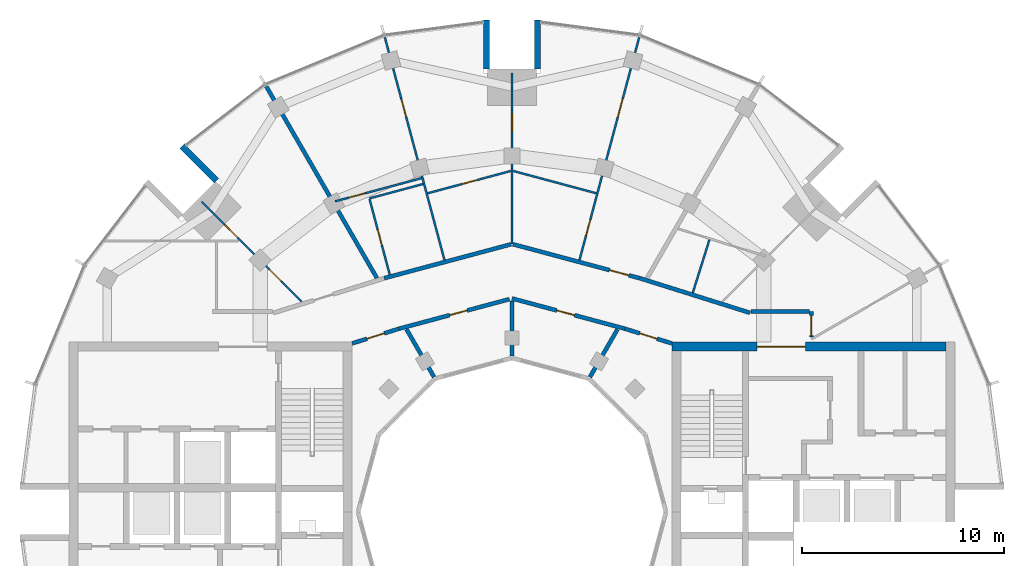
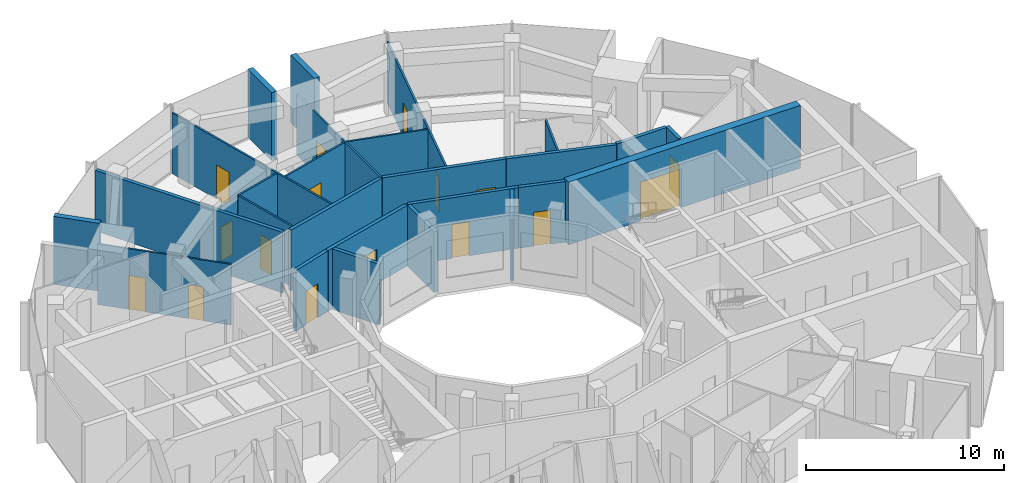
# One storey, part 12 of 15: 27 walls, 16 doors, 16 openings.
"""IFC4 building model written with IfcOpenShell, lengths in metres."""

import ifcopenshell
import ifcopenshell.guid

model = None  # the IFC model being written
_history = None  # IfcOwnerHistory: only IFC2X3 demands one
_inside = {}  # id of a spatial element -> (the spatial element, [elements in it])
_under = {}  # id of a project, library or spatial element -> (it, [spatial elements below it])
_declared = {}  # id of a project -> (the project, [libraries it declares])
_typed = {}  # id of a type object -> (the type object, [elements of that type])
_made_of = {}  # id of a material, layer set ... -> (it, [elements and type objects made of it])


def new_model(schema):
    """Start an empty IFC model of exactly this schema.

    Asked for "IFC4X3", IfcOpenShell would pick the latest addendum, in which some entities
    have other attributes; the version numbers below select the first issue.
    IFC2X3 requires an IfcOwnerHistory on every rooted entity: one is made here for all.
    """
    global model, _history
    if schema == "IFC4X3":
        model = ifcopenshell.file(schema_version=(4, 3, 0, 0))
    else:
        model = ifcopenshell.file(schema=schema)
    _inside.clear()
    _under.clear()
    _declared.clear()
    _typed.clear()
    _made_of.clear()
    _history = None
    if model.schema == "IFC2X3":
        org = make("IfcOrganization", Name="unknown")
        user = make(
            "IfcPersonAndOrganization",
            ThePerson=make("IfcPerson", FamilyName="unknown"),
            TheOrganization=org,
        )
        app = make(
            "IfcApplication",
            ApplicationDeveloper=org,
            Version="unknown",
            ApplicationFullName="unknown",
            ApplicationIdentifier="unknown",
        )
        _history = make(
            "IfcOwnerHistory",
            OwningUser=user,
            OwningApplication=app,
            ChangeAction="ADDED",
            CreationDate=0,
        )
    return model


def make(cls, **values):
    """One entity of the class cls with the attributes given. An attribute that is None is left unset."""
    return model.create_entity(
        cls, **{name: value for name, value in values.items() if value is not None}
    )


def rooted(cls, **values):
    """An entity with a GlobalId (a new one), such as an element, a storey or a relation."""
    return make(cls, GlobalId=ifcopenshell.guid.new(), OwnerHistory=_history, **values)


def si_unit(unit_type, name, prefix=None):
    """IfcSIUnit, for example si_unit("LENGTHUNIT", "METRE", prefix="MILLI")."""
    return make("IfcSIUnit", UnitType=unit_type, Prefix=prefix, Name=name)


def assignment(units):
    """IfcUnitAssignment: the units of a project."""
    return None if units is None else make("IfcUnitAssignment", Units=units)


def point(xyz):
    """IfcCartesianPoint."""
    return None if xyz is None else make("IfcCartesianPoint", Coordinates=xyz)


def direction(xyz):
    """IfcDirection."""
    return None if xyz is None else make("IfcDirection", DirectionRatios=xyz)


def frame(location, z_axis=None, x_axis=None):
    """IfcAxis2Placement3D, a coordinate frame: its origin and axes. An axis left out is left unset."""
    return make(
        "IfcAxis2Placement3D",
        Location=point(location),
        Axis=direction(z_axis),
        RefDirection=direction(x_axis),
    )


def frame_2d(location, x_axis=None):
    """IfcAxis2Placement2D, a coordinate frame in the plane: its origin and x axis."""
    return make(
        "IfcAxis2Placement2D", Location=point(location), RefDirection=direction(x_axis)
    )


def origin():
    """The frame at (0, 0, 0) with its axes left unset."""
    return frame((0.0, 0.0, 0.0))


def place(relative_to, where):
    """IfcLocalPlacement: puts the frame where relative to a parent placement (None: the world)."""
    return make(
        "IfcLocalPlacement", PlacementRelTo=relative_to, RelativePlacement=where
    )


def context(
    kind, dimensions, precision=None, world=None, true_north=None, identifier=None
):
    """IfcGeometricRepresentationContext, for example the 3D "Model" context."""
    return make(
        "IfcGeometricRepresentationContext",
        ContextIdentifier=identifier,
        ContextType=kind,
        CoordinateSpaceDimension=dimensions,
        Precision=precision,
        WorldCoordinateSystem=world,
        TrueNorth=true_north,
    )


def subcontext(parent, identifier, kind, view, scale=None):
    """IfcGeometricRepresentationSubContext, for example "Body" below "Model"."""
    return make(
        "IfcGeometricRepresentationSubContext",
        ContextIdentifier=identifier,
        ContextType=kind,
        ParentContext=parent,
        TargetScale=scale,
        TargetView=view,
    )


def project(units=None, contexts=None):
    """IfcProject with its units and contexts."""
    return rooted(
        "IfcProject",
        Name="project",
        RepresentationContexts=contexts,
        UnitsInContext=assignment(units),
    )


def spatial(cls, under=None, at=None, **own):
    """A site, building, storey or space (cls), placed at a placement, below another one or the project."""
    s = rooted(cls, ObjectPlacement=at, **own)
    if under is not None:
        _under.setdefault(under.id(), (under, []))[1].append(s)
    return s


def profile(cls, at=None, kind="AREA", **sizes):
    """A parametric profile (cls). Its sizes go by their IFC names, for example OverallWidth=200.0."""
    return make(cls, ProfileType=kind, Position=at, **sizes)


def rectangle(**sizes):
    """IfcRectangleProfileDef."""
    return profile("IfcRectangleProfileDef", **sizes)


def extrude(swept, where, along, depth):
    """IfcExtrudedAreaSolid: the profile swept, set in the frame where, extruded along a direction by depth."""
    return make(
        "IfcExtrudedAreaSolid",
        SweptArea=swept,
        Position=where,
        ExtrudedDirection=direction(along),
        Depth=depth,
    )


def shape(context_of_items, identifier, shape_type, items):
    """IfcShapeRepresentation: the items that make up one representation, for example the "Body"."""
    return make(
        "IfcShapeRepresentation",
        ContextOfItems=context_of_items,
        RepresentationIdentifier=identifier,
        RepresentationType=shape_type,
        Items=items,
    )


def material(Name=None, Category=None):
    """IfcMaterial."""
    return make("IfcMaterial", Name=Name, Category=Category)


def layer(
    of_material, thickness, ventilated=None, Name=None, Category=None, Priority=None
):
    """IfcMaterialLayer: one layer of a wall or slab, of a material (None: an air gap)."""
    return make(
        "IfcMaterialLayer",
        Material=of_material,
        LayerThickness=thickness,
        IsVentilated=ventilated,
        Name=Name,
        Category=Category,
        Priority=Priority,
    )


def layer_set(layers, Name=None):
    """IfcMaterialLayerSet."""
    return make("IfcMaterialLayerSet", MaterialLayers=layers, LayerSetName=Name)


def made_of(thing, what):
    """Note that an element or type object is made of a material, layer set ...; save() writes the relation."""
    if what is not None:
        _made_of.setdefault(what.id(), (what, []))[1].append(thing)
    return thing


def type_object(cls, material=None, **own):
    """A type object (cls), such as IfcWallType, which elements share."""
    return made_of(rooted(cls, **own), material)


def element(
    cls,
    number,
    at=None,
    inside=None,
    cuts=None,
    type_object=None,
    material=None,
    context=None,
    identifier="Body",
    shape_type=None,
    held_by="IfcProductDefinitionShape",
    body=None,
    shapes=None,
    **own,
):
    """One element of the class cls, such as IfcWall. Its Tag is "e" and its number.

    at: its placement. inside: the storey or other place that contains it. cuts: it is an
    opening in that element (IfcRelVoidsElement). A single representation is given by context,
    identifier, shape_type and body (its items); several are given by shapes. held_by: the class
    of the entity that holds the representations. save() writes the other relations.
    """
    e = rooted(cls, Tag="e%d" % number, ObjectPlacement=at, **own)
    if body is not None:
        shapes = [shape(context, identifier, shape_type, body)]
    if shapes is not None:
        e.Representation = make(held_by, Representations=shapes)
    if inside is not None:
        _inside.setdefault(inside.id(), (inside, []))[1].append(e)
    if cuts is not None:
        rooted(
            "IfcRelVoidsElement", RelatingBuildingElement=cuts, RelatedOpeningElement=e
        )
    if type_object is not None:
        _typed.setdefault(type_object.id(), (type_object, []))[1].append(e)
    return made_of(e, material)


def fill(opening, filler):
    """IfcRelFillsElement: the door or window that sits in an opening."""
    return rooted(
        "IfcRelFillsElement",
        RelatingOpeningElement=opening,
        RelatedBuildingElement=filler,
    )


def aggregate(whole, parts):
    """IfcRelAggregates: a whole, such as a stair, and the parts it consists of."""
    return rooted("IfcRelAggregates", RelatingObject=whole, RelatedObjects=parts)


def save(model, path):
    """Write the relations noted so far, then the file.

    IfcRelAggregates (storeys below a building ...), IfcRelContainedInSpatialStructure (elements
    in a storey), IfcRelDefinesByType, IfcRelAssociatesMaterial and IfcRelDeclares: one each for
    every whole, place, type object, material and project.
    """
    for whole, parts in _under.values():
        aggregate(whole, parts)
    for where, things in _inside.values():
        rooted(
            "IfcRelContainedInSpatialStructure",
            RelatedElements=things,
            RelatingStructure=where,
        )
    for kind, things in _typed.values():
        rooted("IfcRelDefinesByType", RelatedObjects=things, RelatingType=kind)
    for what, things in _made_of.values():
        rooted("IfcRelAssociatesMaterial", RelatedObjects=things, RelatingMaterial=what)
    for by, libraries in _declared.values():
        rooted("IfcRelDeclares", RelatingContext=by, RelatedDefinitions=libraries)
    model.write(path)


model = new_model("IFC4")

# Units and contexts
model_context = context("Model", 3, precision=1e-05, world=origin(), true_north=direction((0.0, 1.0)))
body_context = subcontext(model_context, "Body", "Model", "MODEL_VIEW")
ifc_project = project(units=[si_unit("LENGTHUNIT", "METRE"), si_unit("AREAUNIT", "SQUARE_METRE"), si_unit("VOLUMEUNIT", "CUBIC_METRE"), si_unit("PLANEANGLEUNIT", "RADIAN"), si_unit("MASSUNIT", "GRAM", prefix="KILO")], contexts=[model_context])

# Site, building, storey
site_placement = place(None, origin())
site = spatial("IfcSite", under=ifc_project, at=site_placement, CompositionType="ELEMENT")
building_placement = place(site_placement, origin())
building = spatial("IfcBuilding", under=site, at=building_placement, Name="Torre Brocal", CompositionType="ELEMENT")
storey_placement = place(building_placement, frame((0.0, 0.0, 284.10009765625)))
storey = spatial("IfcBuildingStorey", under=building, at=storey_placement, Name="L65", CompositionType="ELEMENT", Elevation=284.10009765625)

# Wall, opening, door
ifc_material_1 = material(Name="Concrete C50", Category="concrete")
ifc_layer_1 = layer(ifc_material_1, 0.449951171875)
ifc_layer_set_1 = layer_set([ifc_layer_1], Name="Concrete C50")
wall_type_1 = type_object("IfcWallType", Name="CORE WALL 450 C50", PredefinedType="SHEAR", material=ifc_layer_set_1)
wall_1_placement = place(storey_placement, frame((87.89990234375, 83.175048828125, 0.0), z_axis=(0.0, 0.0, 1.0), x_axis=(1.0, 0.0, 0.0)))
wall_1 = element("IfcWall", 1, at=wall_1_placement, inside=storey, type_object=wall_type_1, Name="Wall CW450-50", PredefinedType="SHEAR", context=body_context, shape_type="SweptSolid", body=[
    extrude(rectangle(XDim=13.550048828125, YDim=0.449951171875, at=frame_2d((6.77490234375, 0.0))), origin(), (0.0, 0.0, 1.0), 3.8798828125),
])
opening_1_placement = place(wall_1_placement, frame((4.199951171875, 0.0, 0.0)))
opening_1 = element("IfcOpeningElement", 2, at=opening_1_placement, cuts=wall_1, Name="Opening E-D32", PredefinedType="OPENING", context=body_context, shape_type="SweptSolid", body=[
    extrude(rectangle(XDim=2.39990234375, YDim=2.39990234375, at=frame_2d((1.199951171875, 1.199951171875))), frame((0.0, 0.23486328125, 0.0), z_axis=(0.0, -1.0, 0.0), x_axis=(1.0, 0.0, 0.0)), (0.0, 0.0, 1.0), 0.469970703125),
])
ifc_material_2 = material(Name="Steel A653", Category="steel")
door_type_1 = type_object("IfcDoorType", Name="DOUBLE FIRE DOOR FD90 2400X2400", OperationType="DOUBLE_DOOR_SINGLE_SWING", PredefinedType="DOOR", material=ifc_material_2)
door_1_placement = place(opening_1_placement, frame((2.39990234375, 0.0, 0.0), z_axis=(0.0, 0.0, 1.0), x_axis=(-1.0, 0.0, 0.0)))
door_1 = element("IfcDoor", 3, at=door_1_placement, inside=storey, type_object=door_type_1, Name="Door E-D32", OperationType="DOUBLE_DOOR_SINGLE_SWING", OverallHeight=2.39990234375, OverallWidth=2.39990234375, PredefinedType="DOOR", context=body_context, shape_type="SweptSolid", body=[
    extrude(rectangle(XDim=2.39990234375, YDim=2.39990234375, at=frame_2d((1.199951171875, 1.199951171875))), frame((0.0, 0.02490234375, 0.0), z_axis=(0.0, -1.0, 0.0), x_axis=(1.0, 0.0, 0.0)), (0.0, 0.0, 1.0), 0.050048828125),
])
fill(opening_1, door_1)

# Walls
ifc_material_3 = material(Name="Concrete C50", Category="concrete")
ifc_layer_2 = layer(ifc_material_3, 0.300048828125)
ifc_layer_set_2 = layer_set([ifc_layer_2], Name="Concrete C50")
wall_type_2 = type_object("IfcWallType", Name="NOTCH RETURN WALL 300 C50", PredefinedType="NOTDEFINED", material=ifc_layer_set_2)
for number, where, z_axis, x_axis, name in (
    (4, (81.25, 96.89990234375, 0.0), (0.0, 0.0, 1.0), (0.0, 1.0, 0.0), "NOTCH RETURN WALL"),
    (5, (78.75, 96.89990234375, 0.0), (0.0, 0.0, 1.0), (0.0, 1.0, 0.0), "NOTCH RETURN WALL"),
):
    element("IfcWall", number, at=place(storey_placement, frame(where, z_axis=z_axis, x_axis=x_axis)), inside=storey, type_object=wall_type_2, Name=name, PredefinedType="NOTDEFINED", context=body_context, shape_type="SweptSolid", body=[
        extrude(rectangle(XDim=2.415771484375, YDim=0.300048828125, at=frame_2d((1.2080078125, 0.0))), origin(), (0.0, 0.0, 1.0), 4.199951171875),
    ])
wall_2_placement = place(storey_placement, frame((65.398193359375, 91.36962890625, 0.0), z_axis=(0.0, 0.0, 1.0), x_axis=(-0.707106781187, 0.707106781187, 0.0)))
element("IfcWall", 6, at=wall_2_placement, inside=storey, type_object=wall_type_2, Name="NOTCH RETURN WALL", PredefinedType="NOTDEFINED", context=body_context, shape_type="SweptSolid", body=[
    extrude(rectangle(XDim=2.41552734375, YDim=0.300048828125, at=frame_2d((1.207763671875, 0.0))), origin(), (0.0, 0.0, 1.0), 4.199951171875),
])

# Wall, openings, doors
ifc_material_4 = material(Name="Gypsum board", Category="Gypsum")
ifc_layer_3 = layer(ifc_material_4, 0.10009765625)
ifc_layer_set_3 = layer_set([ifc_layer_3], Name="Gypsum board")
wall_type_3 = type_object("IfcWallType", Name="PARTITION 100", PredefinedType="PARTITIONING", material=ifc_layer_set_3)
wall_3_placement = place(storey_placement, frame((64.655517578125, 90.344482421875, 0.0), z_axis=(0.0, 0.0, 1.0), x_axis=(0.707106781187, -0.707106781187, 0.0)))
wall_3 = element("IfcWall", 7, at=wall_3_placement, inside=storey, type_object=wall_type_3, Name="BATHROOM WALL", PredefinedType="PARTITIONING", context=body_context, shape_type="SweptSolid", body=[
    extrude(rectangle(XDim=6.99951171875, YDim=0.10009765625, at=frame_2d((3.499755859375, 0.0))), origin(), (0.0, 0.0, 1.0), 3.75),
])
opening_2_placement = place(wall_3_placement, frame((1.619384765625, 0.0, 0.0)))
opening_2 = element("IfcOpeningElement", 8, at=opening_2_placement, cuts=wall_3, Name="Opening N01-D15", PredefinedType="OPENING", context=body_context, shape_type="SweptSolid", body=[
    extrude(rectangle(XDim=0.89990234375, YDim=2.10009765625, at=frame_2d((0.449951171875, 1.050048828125))), frame((0.0, 0.06005859375, 0.0), z_axis=(0.0, -1.0, 0.0), x_axis=(1.0, 0.0, 0.0)), (0.0, 0.0, 1.0), 0.1201171875),
])
opening_3_placement = place(wall_3_placement, frame((4.75537109375, 0.0, 0.0)))
opening_3 = element("IfcOpeningElement", 9, at=opening_3_placement, cuts=wall_3, Name="Opening N01-D17", PredefinedType="OPENING", context=body_context, shape_type="SweptSolid", body=[
    extrude(rectangle(XDim=0.800048828125, YDim=2.10009765625, at=frame_2d((0.39990234375, 1.050048828125))), frame((0.0, 0.06005859375, 0.0), z_axis=(0.0, -1.0, 0.0), x_axis=(1.0, 0.0, 0.0)), (0.0, 0.0, 1.0), 0.1201171875),
])
ifc_material_5 = material(Name="Timber", Category="wood")
door_type_2 = type_object("IfcDoorType", Name="BATHROOM DOOR 800X2100", OperationType="SINGLE_SWING_LEFT", PredefinedType="DOOR", material=ifc_material_5)
door_2_placement = place(opening_3_placement, frame((0.800048828125, 0.0, 0.0), z_axis=(0.0, 0.0, 1.0), x_axis=(-1.0, 0.0, 0.0)))
door_2 = element("IfcDoor", 10, at=door_2_placement, inside=storey, type_object=door_type_2, Name="N01-D17", OperationType="SINGLE_SWING_LEFT", OverallHeight=2.10009765625, OverallWidth=0.800048828125, PredefinedType="DOOR", context=body_context, shape_type="SweptSolid", body=[
    extrude(rectangle(XDim=0.800048828125, YDim=2.10009765625, at=frame_2d((0.39990234375, 1.050048828125))), frame((0.0, 0.02490234375, 0.0), z_axis=(0.0, -1.0, 0.0), x_axis=(1.0, 0.0, 0.0)), (0.0, 0.0, 1.0), 0.050048828125),
])
fill(opening_3, door_2)
ifc_material_6 = material(Name="Timber", Category="wood")
door_type_3 = type_object("IfcDoorType", Name="ROOM DOOR 900X2100", OperationType="SINGLE_SWING_LEFT", PredefinedType="DOOR", material=ifc_material_6)
door_3_placement = place(opening_2_placement, frame((0.89990234375, 0.0, 0.0), z_axis=(0.0, 0.0, 1.0), x_axis=(-1.0, 0.0, 0.0)))
door_3 = element("IfcDoor", 11, at=door_3_placement, inside=storey, type_object=door_type_3, Name="N01-D15", OperationType="SINGLE_SWING_RIGHT", OverallHeight=2.10009765625, OverallWidth=0.89990234375, PredefinedType="DOOR", context=body_context, shape_type="SweptSolid", body=[
    extrude(rectangle(XDim=0.89990234375, YDim=2.10009765625, at=frame_2d((0.449951171875, 1.050048828125))), frame((0.0, 0.02490234375, 0.0), z_axis=(0.0, -1.0, 0.0), x_axis=(1.0, 0.0, 0.0)), (0.0, 0.0, 1.0), 0.050048828125),
])
fill(opening_2, door_3)

# Wall, opening, door
wall_4_placement = place(storey_placement, frame((72.962890625, 90.44873046875, 0.0), z_axis=(0.0, 0.0, 1.0), x_axis=(0.25854689918, -0.965998706482, 0.0)))
wall_4 = element("IfcWall", 12, at=wall_4_placement, inside=storey, type_object=wall_type_3, Name="BATHROOM WALL", PredefinedType="PARTITIONING", context=body_context, shape_type="SweptSolid", body=[
    extrude(rectangle(XDim=3.848876953125, YDim=0.10009765625, at=frame_2d((1.92431640625, 0.0))), origin(), (0.0, 0.0, 1.0), 3.75),
])
opening_4_placement = place(wall_4_placement, frame((1.549560546875, 0.0, 0.0)))
opening_4 = element("IfcOpeningElement", 13, at=opening_4_placement, cuts=wall_4, Name="Opening N01-D12", PredefinedType="OPENING", context=body_context, shape_type="SweptSolid", body=[
    extrude(rectangle(XDim=0.800048828125, YDim=2.10009765625, at=frame_2d((0.39990234375, 1.050048828125))), frame((0.0, 0.06005859375, 0.0), z_axis=(0.0, -1.0, 0.0), x_axis=(1.0, 0.0, 0.0)), (0.0, 0.0, 1.0), 0.1201171875),
])
door_4_placement = place(opening_4_placement, origin())
door_4 = element("IfcDoor", 14, at=door_4_placement, inside=storey, type_object=door_type_2, Name="N01-D12", OperationType="SINGLE_SWING_RIGHT", OverallHeight=2.10009765625, OverallWidth=0.800048828125, PredefinedType="DOOR", context=body_context, shape_type="SweptSolid", body=[
    extrude(rectangle(XDim=0.800048828125, YDim=2.10009765625, at=frame_2d((0.39990234375, 1.050048828125))), frame((0.0, 0.02490234375, 0.0), z_axis=(0.0, -1.0, 0.0), x_axis=(1.0, 0.0, 0.0)), (0.0, 0.0, 1.0), 0.050048828125),
])
fill(opening_4, door_4)

# Wall
wall_5_placement = place(storey_placement, frame((72.949951171875, 90.4970703125, 0.0), z_axis=(0.0, 0.0, 1.0), x_axis=(0.96588619323, 0.258966912418, 0.0)))
element("IfcWall", 15, at=wall_5_placement, inside=storey, type_object=wall_type_3, Name="BATHROOM WALL", PredefinedType="PARTITIONING", context=body_context, shape_type="SweptSolid", body=[
    extrude(rectangle(XDim=2.7490234375, YDim=0.10009765625, at=frame_2d((1.37451171875, 0.0))), origin(), (0.0, 0.0, 1.0), 3.75),
])

# Wall, opening, door
wall_6_placement = place(storey_placement, frame((73.7119140625, 98.470458984375, 0.0), z_axis=(0.0, 0.0, 1.0), x_axis=(0.258727167471, -0.965950440143, 0.0)))
wall_6 = element("IfcWall", 16, at=wall_6_placement, inside=storey, type_object=wall_type_3, Name="BATHROOM WALL", PredefinedType="PARTITIONING", context=body_context, shape_type="SweptSolid", body=[
    extrude(rectangle(XDim=11.403564453125, YDim=0.10009765625, at=frame_2d((5.70166015625, 0.0))), origin(), (0.0, 0.0, 1.0), 3.75),
])
opening_5_placement = place(wall_6_placement, frame((3.187255859375, 0.0, 0.0)))
opening_5 = element("IfcOpeningElement", 17, at=opening_5_placement, cuts=wall_6, Name="Opening N01-D11", PredefinedType="OPENING", context=body_context, shape_type="SweptSolid", body=[
    extrude(rectangle(XDim=0.89990234375, YDim=2.10009765625, at=frame_2d((0.449951171875, 1.050048828125))), frame((0.0, 0.06005859375, 0.0), z_axis=(0.0, -1.0, 0.0), x_axis=(1.0, 0.0, 0.0)), (0.0, 0.0, 1.0), 0.1201171875),
])
door_5_placement = place(opening_5_placement, origin())
door_5 = element("IfcDoor", 18, at=door_5_placement, inside=storey, type_object=door_type_3, Name="N01-D11", OperationType="SINGLE_SWING_LEFT", OverallHeight=2.10009765625, OverallWidth=0.89990234375, PredefinedType="DOOR", context=body_context, shape_type="SweptSolid", body=[
    extrude(rectangle(XDim=0.89990234375, YDim=2.10009765625, at=frame_2d((0.449951171875, 1.050048828125))), frame((0.0, 0.02490234375, 0.0), z_axis=(0.0, -1.0, 0.0), x_axis=(1.0, 0.0, 0.0)), (0.0, 0.0, 1.0), 0.050048828125),
])
fill(opening_5, door_5)

wall_7_placement = place(storey_placement, frame((75.83154296875, 90.751953125, 0.0), z_axis=(0.0, 0.0, 1.0), x_axis=(0.965856843682, 0.259076354601, 0.0)))
wall_7 = element("IfcWall", 19, at=wall_7_placement, inside=storey, type_object=wall_type_3, Name="BATHROOM WALL", PredefinedType="PARTITIONING", context=body_context, shape_type="SweptSolid", body=[
    extrude(rectangle(XDim=4.255615234375, YDim=0.10009765625, at=frame_2d((2.1279296875, 0.0))), origin(), (0.0, 0.0, 1.0), 3.75),
])
opening_6_placement = place(wall_7_placement, frame((1.732666015625, 0.0, 0.0)))
opening_6 = element("IfcOpeningElement", 20, at=opening_6_placement, cuts=wall_7, Name="Opening N01-D10", PredefinedType="OPENING", context=body_context, shape_type="SweptSolid", body=[
    extrude(rectangle(XDim=0.800048828125, YDim=2.10009765625, at=frame_2d((0.39990234375, 1.050048828125))), frame((0.0, 0.06005859375, 0.0), z_axis=(0.0, -1.0, 0.0), x_axis=(1.0, 0.0, 0.0)), (0.0, 0.0, 1.0), 0.1201171875),
])
door_6_placement = place(opening_6_placement, frame((0.800048828125, 0.0, 0.0), z_axis=(0.0, 0.0, 1.0), x_axis=(-1.0, 0.0, 0.0)))
door_6 = element("IfcDoor", 21, at=door_6_placement, inside=storey, type_object=door_type_2, Name="N01-D10", OperationType="SINGLE_SWING_LEFT", OverallHeight=2.10009765625, OverallWidth=0.800048828125, PredefinedType="DOOR", context=body_context, shape_type="SweptSolid", body=[
    extrude(rectangle(XDim=0.800048828125, YDim=2.10009765625, at=frame_2d((0.39990234375, 1.050048828125))), frame((0.0, 0.02490234375, 0.0), z_axis=(0.0, -1.0, 0.0), x_axis=(1.0, 0.0, 0.0)), (0.0, 0.0, 1.0), 0.050048828125),
])
fill(opening_6, door_6)

wall_8_placement = place(storey_placement, frame((80.0, 88.24609375, 0.0), z_axis=(0.0, 0.0, 1.0), x_axis=(0.0, 1.0, 0.0)))
wall_8 = element("IfcWall", 22, at=wall_8_placement, inside=storey, type_object=wall_type_3, Name="BATHROOM WALL", PredefinedType="PARTITIONING", context=body_context, shape_type="SweptSolid", body=[
    extrude(rectangle(XDim=8.453857421875, YDim=0.10009765625, at=frame_2d((4.22705078125, 0.0))), origin(), (0.0, 0.0, 1.0), 3.75),
])
opening_7_placement = place(wall_8_placement, frame((5.56396484375, 0.0, 0.0)))
opening_7 = element("IfcOpeningElement", 23, at=opening_7_placement, cuts=wall_8, Name="Opening N01-D09", PredefinedType="OPENING", context=body_context, shape_type="SweptSolid", body=[
    extrude(rectangle(XDim=0.89990234375, YDim=2.10009765625, at=frame_2d((0.449951171875, 1.050048828125))), frame((0.0, 0.06005859375, 0.0), z_axis=(0.0, -1.0, 0.0), x_axis=(1.0, 0.0, 0.0)), (0.0, 0.0, 1.0), 0.1201171875),
])
door_7_placement = place(opening_7_placement, origin())
door_7 = element("IfcDoor", 24, at=door_7_placement, inside=storey, type_object=door_type_3, Name="N01-D09", OperationType="SINGLE_SWING_RIGHT", OverallHeight=2.10009765625, OverallWidth=0.89990234375, PredefinedType="DOOR", context=body_context, shape_type="SweptSolid", body=[
    extrude(rectangle(XDim=0.89990234375, YDim=2.10009765625, at=frame_2d((0.449951171875, 1.050048828125))), frame((0.0, 0.02490234375, 0.0), z_axis=(0.0, -1.0, 0.0), x_axis=(1.0, 0.0, 0.0)), (0.0, 0.0, 1.0), 0.050048828125),
])
fill(opening_7, door_7)

# Wall
wall_9_placement = place(storey_placement, frame((80.05810546875, 91.8544921875, 0.0), z_axis=(0.0, 0.0, 1.0), x_axis=(0.96586069397, -0.259061999998, 0.0)))
element("IfcWall", 25, at=wall_9_placement, inside=storey, type_object=wall_type_3, Name="BATHROOM WALL", PredefinedType="PARTITIONING", context=body_context, shape_type="SweptSolid", body=[
    extrude(rectangle(XDim=4.255859375, YDim=0.10009765625, at=frame_2d((2.1279296875, 0.0))), origin(), (0.0, 0.0, 1.0), 3.75),
])

# Wall, openings, doors
wall_10_placement = place(storey_placement, frame((83.3369140625, 87.455078125, 0.0), z_axis=(0.0, 0.0, 1.0), x_axis=(0.25887234328, 0.965911543509, 0.0)))
wall_10 = element("IfcWall", 26, at=wall_10_placement, inside=storey, type_object=wall_type_3, Name="BATHROOM WALL", PredefinedType="PARTITIONING", context=body_context, shape_type="SweptSolid", body=[
    extrude(rectangle(XDim=11.40380859375, YDim=0.10009765625, at=frame_2d((5.701904296875, 0.0))), origin(), (0.0, 0.0, 1.0), 3.75),
])
opening_8_placement = place(wall_10_placement, frame((7.326416015625, 0.0, 0.0)))
opening_8 = element("IfcOpeningElement", 27, at=opening_8_placement, cuts=wall_10, Name="Opening N01-D07", PredefinedType="OPENING", context=body_context, shape_type="SweptSolid", body=[
    extrude(rectangle(XDim=0.89990234375, YDim=2.10009765625, at=frame_2d((0.449951171875, 1.050048828125))), frame((0.0, 0.06005859375, 0.0), z_axis=(0.0, -1.0, 0.0), x_axis=(1.0, 0.0, 0.0)), (0.0, 0.0, 1.0), 0.1201171875),
])
opening_9_placement = place(wall_10_placement, frame((1.259521484375, 0.0, 0.0)))
opening_9 = element("IfcOpeningElement", 28, at=opening_9_placement, cuts=wall_10, Name="Opening N01-D08", PredefinedType="OPENING", context=body_context, shape_type="SweptSolid", body=[
    extrude(rectangle(XDim=0.800048828125, YDim=2.10009765625, at=frame_2d((0.39990234375, 1.050048828125))), frame((0.0, 0.06005859375, 0.0), z_axis=(0.0, -1.0, 0.0), x_axis=(1.0, 0.0, 0.0)), (0.0, 0.0, 1.0), 0.1201171875),
])
door_8_placement = place(opening_9_placement, origin())
door_8 = element("IfcDoor", 29, at=door_8_placement, inside=storey, type_object=door_type_2, Name="N01-D08", OperationType="SINGLE_SWING_LEFT", OverallHeight=2.10009765625, OverallWidth=0.800048828125, PredefinedType="DOOR", context=body_context, shape_type="SweptSolid", body=[
    extrude(rectangle(XDim=0.800048828125, YDim=2.10009765625, at=frame_2d((0.39990234375, 1.050048828125))), frame((0.0, 0.02490234375, 0.0), z_axis=(0.0, -1.0, 0.0), x_axis=(1.0, 0.0, 0.0)), (0.0, 0.0, 1.0), 0.050048828125),
])
fill(opening_9, door_8)
door_9_placement = place(opening_8_placement, origin())
door_9 = element("IfcDoor", 30, at=door_9_placement, inside=storey, type_object=door_type_3, Name="N01-D07", OperationType="SINGLE_SWING_RIGHT", OverallHeight=2.10009765625, OverallWidth=0.89990234375, PredefinedType="DOOR", context=body_context, shape_type="SweptSolid", body=[
    extrude(rectangle(XDim=0.89990234375, YDim=2.10009765625, at=frame_2d((0.449951171875, 1.050048828125))), frame((0.0, 0.02490234375, 0.0), z_axis=(0.0, -1.0, 0.0), x_axis=(1.0, 0.0, 0.0)), (0.0, 0.0, 1.0), 0.050048828125),
])
fill(opening_8, door_9)

# Wall
wall_11_placement = place(storey_placement, frame((88.935791015625, 85.83642578125, 0.0), z_axis=(0.0, 0.0, 1.0), x_axis=(0.299371771011, 0.954136543018, 0.0)))
element("IfcWall", 31, at=wall_11_placement, inside=storey, type_object=wall_type_3, Name="BATHROOM WALL", PredefinedType="PARTITIONING", context=body_context, shape_type="SweptSolid", body=[
    extrude(rectangle(XDim=2.75, YDim=0.10009765625, at=frame_2d((1.375, 0.0))), origin(), (0.0, 0.0, 1.0), 3.75),
])

# Wall, opening, door
ifc_material_7 = material(Name="Gypsum board", Category="Gypsum")
ifc_layer_4 = layer(ifc_material_7, 0.10009765625)
ifc_layer_set_4 = layer_set([ifc_layer_4], Name="Gypsum board")
wall_type_4 = type_object("IfcWallType", Name="PARTITION 100 UNDER BEAM 820", PredefinedType="PARTITIONING", material=ifc_layer_set_4)
wall_12_placement = place(storey_placement, frame((71.2578125, 90.3544921875, 0.0), z_axis=(0.0, 0.0, 1.0), x_axis=(0.965955692548, 0.258707556973, 0.0)))
wall_12 = element("IfcWall", 32, at=wall_12_placement, inside=storey, type_object=wall_type_4, Name="BATHROOM WALL", PredefinedType="PARTITIONING", context=body_context, shape_type="SweptSolid", body=[
    extrude(rectangle(XDim=4.420166015625, YDim=0.10009765625, at=frame_2d((2.2099609375, 0.0))), origin(), (0.0, 0.0, 1.0), 3.3798828125),
])
opening_10_placement = place(wall_12_placement, frame((0.72998046875, 0.0, 0.0)))
opening_10 = element("IfcOpeningElement", 33, at=opening_10_placement, cuts=wall_12, Name="Opening N01-D13", PredefinedType="OPENING", context=body_context, shape_type="SweptSolid", body=[
    extrude(rectangle(XDim=0.800048828125, YDim=2.10009765625, at=frame_2d((0.39990234375, 1.050048828125))), frame((0.0, 0.06005859375, 0.0), z_axis=(0.0, -1.0, 0.0), x_axis=(1.0, 0.0, 0.0)), (0.0, 0.0, 1.0), 0.1201171875),
])
door_10_placement = place(opening_10_placement, origin())
door_10 = element("IfcDoor", 34, at=door_10_placement, inside=storey, type_object=door_type_2, Name="N01-D13", OperationType="SINGLE_SWING_LEFT", OverallHeight=2.10009765625, OverallWidth=0.800048828125, PredefinedType="DOOR", context=body_context, shape_type="SweptSolid", body=[
    extrude(rectangle(XDim=0.800048828125, YDim=2.10009765625, at=frame_2d((0.39990234375, 1.050048828125))), frame((0.0, 0.02490234375, 0.0), z_axis=(0.0, -1.0, 0.0), x_axis=(1.0, 0.0, 0.0)), (0.0, 0.0, 1.0), 0.050048828125),
])
fill(opening_10, door_10)

# Wall
ifc_material_8 = material(Name="Gypsum board", Category="Gypsum")
ifc_layer_5 = layer(ifc_material_8, 0.199951171875)
ifc_layer_set_5 = layer_set([ifc_layer_5], Name="Gypsum board")
wall_type_5 = type_object("IfcWallType", Name="PARTITION 200 EI60", PredefinedType="PARTITIONING", material=ifc_layer_set_5)
wall_13_placement = place(storey_placement, frame((67.8515625, 96.04248046875, 0.0), z_axis=(0.0, 0.0, 1.0), x_axis=(0.499960582802, -0.866048160118, 0.0)))
element("IfcWall", 35, at=wall_13_placement, inside=storey, type_object=wall_type_5, Name="BATHROOM WALL", PredefinedType="PARTITIONING", context=body_context, shape_type="SweptSolid", body=[
    extrude(rectangle(XDim=10.94580078125, YDim=0.199951171875, at=frame_2d((5.472900390625, 0.0))), origin(), (0.0, 0.0, 1.0), 3.75),
])

# Wall, opening, door
wall_14_placement = place(storey_placement, frame((72.10009765625, 83.33203125, 0.0), z_axis=(0.0, 0.0, 1.0), x_axis=(0.954233106619, 0.299063836383, 0.0)))
wall_14 = element("IfcWall", 36, at=wall_14_placement, inside=storey, type_object=wall_type_5, Name="CORRIDOR WALL", PredefinedType="PARTITIONING", context=body_context, shape_type="SweptSolid", body=[
    extrude(rectangle(XDim=2.4140625, YDim=0.199951171875, at=frame_2d((1.20703125, 0.0))), origin(), (0.0, 0.0, 1.0), 3.75),
])
opening_11_placement = place(wall_14_placement, frame((0.761962890625, 0.0, 0.0)))
opening_11 = element("IfcOpeningElement", 37, at=opening_11_placement, cuts=wall_14, Name="Opening N01-D21", PredefinedType="OPENING", context=body_context, shape_type="SweptSolid", body=[
    extrude(rectangle(XDim=0.89990234375, YDim=2.10009765625, at=frame_2d((0.449951171875, 1.050048828125))), frame((0.0, 0.10986328125, 0.0), z_axis=(0.0, -1.0, 0.0), x_axis=(1.0, 0.0, 0.0)), (0.0, 0.0, 1.0), 0.219970703125),
])
door_11_placement = place(opening_11_placement, frame((0.89990234375, 0.0, 0.0), z_axis=(0.0, 0.0, 1.0), x_axis=(-1.0, 0.0, 0.0)))
door_11 = element("IfcDoor", 38, at=door_11_placement, inside=storey, type_object=door_type_3, Name="N01-D21", OperationType="SINGLE_SWING_RIGHT", OverallHeight=2.10009765625, OverallWidth=0.89990234375, PredefinedType="DOOR", context=body_context, shape_type="SweptSolid", body=[
    extrude(rectangle(XDim=0.89990234375, YDim=2.10009765625, at=frame_2d((0.449951171875, 1.050048828125))), frame((0.0, 0.02490234375, 0.0), z_axis=(0.0, -1.0, 0.0), x_axis=(1.0, 0.0, 0.0)), (0.0, 0.0, 1.0), 0.050048828125),
])
fill(opening_11, door_11)

# Wall
wall_15_placement = place(storey_placement, frame((73.68701171875, 86.554443359375, 0.0), z_axis=(0.0, 0.0, 1.0), x_axis=(0.966002126521, 0.258534120682, 0.0)))
element("IfcWall", 39, at=wall_15_placement, inside=storey, type_object=wall_type_5, Name="GUESTROOM CORRIDOR WALL", PredefinedType="PARTITIONING", context=body_context, shape_type="SweptSolid", body=[
    extrude(rectangle(XDim=6.485595703125, YDim=0.199951171875, at=frame_2d((3.24267578125, 0.0))), origin(), (0.0, 0.0, 1.0), 3.75),
])

# Wall, opening, door
wall_16_placement = place(storey_placement, frame((74.4130859375, 84.056884765625, 0.0), z_axis=(0.0, 0.0, 1.0), x_axis=(0.965972135939, 0.258646153246, 0.0)))
wall_16 = element("IfcWall", 40, at=wall_16_placement, inside=storey, type_object=wall_type_5, Name="CORRIDOR WALL", PredefinedType="PARTITIONING", context=body_context, shape_type="SweptSolid", body=[
    extrude(rectangle(XDim=5.654052734375, YDim=0.199951171875, at=frame_2d((2.8271484375, 0.0))), origin(), (0.0, 0.0, 1.0), 3.75),
])
opening_12_placement = place(wall_16_placement, frame((2.5927734375, 0.0, 0.0)))
opening_12 = element("IfcOpeningElement", 41, at=opening_12_placement, cuts=wall_16, Name="Opening N01-D20", PredefinedType="OPENING", context=body_context, shape_type="SweptSolid", body=[
    extrude(rectangle(XDim=0.89990234375, YDim=2.10009765625, at=frame_2d((0.449951171875, 1.050048828125))), frame((0.0, 0.10986328125, 0.0), z_axis=(0.0, -1.0, 0.0), x_axis=(1.0, 0.0, 0.0)), (0.0, 0.0, 1.0), 0.219970703125),
])
door_12_placement = place(opening_12_placement, frame((0.89990234375, 0.0, 0.0), z_axis=(0.0, 0.0, 1.0), x_axis=(-1.0, 0.0, 0.0)))
door_12 = element("IfcDoor", 42, at=door_12_placement, inside=storey, type_object=door_type_3, Name="N01-D20", OperationType="SINGLE_SWING_RIGHT", OverallHeight=2.10009765625, OverallWidth=0.89990234375, PredefinedType="DOOR", context=body_context, shape_type="SweptSolid", body=[
    extrude(rectangle(XDim=0.89990234375, YDim=2.10009765625, at=frame_2d((0.449951171875, 1.050048828125))), frame((0.0, 0.02490234375, 0.0), z_axis=(0.0, -1.0, 0.0), x_axis=(1.0, 0.0, 0.0)), (0.0, 0.0, 1.0), 0.050048828125),
])
fill(opening_12, door_12)

# Walls
wall_17_placement = place(storey_placement, frame((74.78759765625, 84.027099609375, 0.0), z_axis=(0.0, 0.0, 1.0), x_axis=(0.49997314572, -0.866040907555, 0.0)))
element("IfcWall", 43, at=wall_17_placement, inside=storey, type_object=wall_type_5, Name="SERVICE ROOM WALL", PredefinedType="PARTITIONING", context=body_context, shape_type="SweptSolid", body=[
    extrude(rectangle(XDim=2.725830078125, YDim=0.199951171875, at=frame_2d((1.36279296875, 0.0))), origin(), (0.0, 0.0, 1.0), 3.75),
])
wall_18_placement = place(storey_placement, frame((80.0, 82.698974609375, 0.0), z_axis=(0.0, 0.0, 1.0), x_axis=(0.0, 1.0, 0.0)))
element("IfcWall", 44, at=wall_18_placement, inside=storey, type_object=wall_type_5, Name="SERVICE ROOM WALL", PredefinedType="PARTITIONING", context=body_context, shape_type="SweptSolid", body=[
    extrude(rectangle(XDim=2.72509765625, YDim=0.199951171875, at=frame_2d((1.362548828125, 0.0))), origin(), (0.0, 0.0, 1.0), 3.75),
])

# Wall, opening, door
wall_19_placement = place(storey_placement, frame((80.0, 85.553955078125, 0.0), z_axis=(0.0, 0.0, 1.0), x_axis=(0.965928989968, -0.258807237802, 0.0)))
wall_19 = element("IfcWall", 45, at=wall_19_placement, inside=storey, type_object=wall_type_5, Name="CORRIDOR WALL", PredefinedType="PARTITIONING", context=body_context, shape_type="SweptSolid", body=[
    extrude(rectangle(XDim=5.774169921875, YDim=0.199951171875, at=frame_2d((2.88720703125, 0.0))), origin(), (0.0, 0.0, 1.0), 3.75),
])
opening_13_placement = place(wall_19_placement, frame((2.29150390625, 0.0, 0.0)))
opening_13 = element("IfcOpeningElement", 46, at=opening_13_placement, cuts=wall_19, Name="Opening N01-D19", PredefinedType="OPENING", context=body_context, shape_type="SweptSolid", body=[
    extrude(rectangle(XDim=0.89990234375, YDim=2.10009765625, at=frame_2d((0.449951171875, 1.050048828125))), frame((0.0, 0.10986328125, 0.0), z_axis=(0.0, -1.0, 0.0), x_axis=(1.0, 0.0, 0.0)), (0.0, 0.0, 1.0), 0.219970703125),
])
door_13_placement = place(opening_13_placement, frame((0.89990234375, 0.0, 0.0), z_axis=(0.0, 0.0, 1.0), x_axis=(-1.0, 0.0, 0.0)))
door_13 = element("IfcDoor", 47, at=door_13_placement, inside=storey, type_object=door_type_3, Name="N01-D19", OperationType="SINGLE_SWING_LEFT", OverallHeight=2.10009765625, OverallWidth=0.89990234375, PredefinedType="DOOR", context=body_context, shape_type="SweptSolid", body=[
    extrude(rectangle(XDim=0.89990234375, YDim=2.10009765625, at=frame_2d((0.449951171875, 1.050048828125))), frame((0.0, 0.02490234375, 0.0), z_axis=(0.0, -1.0, 0.0), x_axis=(1.0, 0.0, 0.0)), (0.0, 0.0, 1.0), 0.050048828125),
])
fill(opening_13, door_13)

wall_20_placement = place(storey_placement, frame((80.04833984375, 88.233154296875, 0.0), z_axis=(0.0, 0.0, 1.0), x_axis=(0.965865387308, -0.259044501198, 0.0)))
wall_20 = element("IfcWall", 48, at=wall_20_placement, inside=storey, type_object=wall_type_5, Name="FLAT ENTRANCE WALL", PredefinedType="PARTITIONING", context=body_context, shape_type="SweptSolid", body=[
    extrude(rectangle(XDim=6.4755859375, YDim=0.199951171875, at=frame_2d((3.23779296875, 0.0))), origin(), (0.0, 0.0, 1.0), 3.75),
])
opening_14_placement = place(wall_20_placement, frame((4.935791015625, 0.0, 0.0)))
opening_14 = element("IfcOpeningElement", 49, at=opening_14_placement, cuts=wall_20, Name="Opening N01-D06", PredefinedType="OPENING", context=body_context, shape_type="SweptSolid", body=[
    extrude(rectangle(XDim=1.0, YDim=2.10009765625, at=frame_2d((0.5, 1.050048828125))), frame((0.0, 0.10986328125, 0.0), z_axis=(0.0, -1.0, 0.0), x_axis=(1.0, 0.0, 0.0)), (0.0, 0.0, 1.0), 0.219970703125),
])
ifc_material_9 = material(Name="Timber", Category="wood")
door_type_4 = type_object("IfcDoorType", Name="FLAT ENTRY DOOR FD30S 1000X2100", OperationType="SINGLE_SWING_RIGHT", PredefinedType="DOOR", material=ifc_material_9)
door_14_placement = place(opening_14_placement, origin())
door_14 = element("IfcDoor", 50, at=door_14_placement, inside=storey, type_object=door_type_4, Name="N01-D06", OperationType="SINGLE_SWING_RIGHT", OverallHeight=2.10009765625, OverallWidth=1.0, PredefinedType="DOOR", context=body_context, shape_type="SweptSolid", body=[
    extrude(rectangle(XDim=1.0, YDim=2.10009765625, at=frame_2d((0.5, 1.050048828125))), frame((0.0, 0.02490234375, 0.0), z_axis=(0.0, -1.0, 0.0), x_axis=(1.0, 0.0, 0.0)), (0.0, 0.0, 1.0), 0.050048828125),
])
fill(opening_14, door_14)

# Wall
wall_21_placement = place(storey_placement, frame((83.850341796875, 81.666259765625, 0.0), z_axis=(0.0, 0.0, 1.0), x_axis=(0.500146274735, 0.865940935554, 0.0)))
element("IfcWall", 51, at=wall_21_placement, inside=storey, type_object=wall_type_5, Name="SERVICE ROOM WALL", PredefinedType="PARTITIONING", context=body_context, shape_type="SweptSolid", body=[
    extrude(rectangle(XDim=2.725830078125, YDim=0.199951171875, at=frame_2d((1.36279296875, 0.0))), origin(), (0.0, 0.0, 1.0), 3.75),
])

# Wall, opening, door
wall_22_placement = place(storey_placement, frame((85.5869140625, 84.056884765625, 0.0), z_axis=(0.0, 0.0, 1.0), x_axis=(0.954239513179, -0.299043393987, 0.0)))
wall_22 = element("IfcWall", 52, at=wall_22_placement, inside=storey, type_object=wall_type_5, Name="CORRIDOR WALL", PredefinedType="PARTITIONING", context=body_context, shape_type="SweptSolid", body=[
    extrude(rectangle(XDim=2.423828125, YDim=0.199951171875, at=frame_2d((1.2119140625, 0.0))), origin(), (0.0, 0.0, 1.0), 3.75),
])
opening_15_placement = place(wall_22_placement, frame((0.761962890625, 0.0, 0.0)))
opening_15 = element("IfcOpeningElement", 53, at=opening_15_placement, cuts=wall_22, Name="Opening N01-D18", PredefinedType="OPENING", context=body_context, shape_type="SweptSolid", body=[
    extrude(rectangle(XDim=0.89990234375, YDim=2.10009765625, at=frame_2d((0.449951171875, 1.050048828125))), frame((0.0, 0.10986328125, 0.0), z_axis=(0.0, -1.0, 0.0), x_axis=(1.0, 0.0, 0.0)), (0.0, 0.0, 1.0), 0.219970703125),
])
door_15_placement = place(opening_15_placement, frame((0.89990234375, 0.0, 0.0), z_axis=(0.0, 0.0, 1.0), x_axis=(-1.0, 0.0, 0.0)))
door_15 = element("IfcDoor", 54, at=door_15_placement, inside=storey, type_object=door_type_3, Name="N01-D18", OperationType="SINGLE_SWING_LEFT", OverallHeight=2.10009765625, OverallWidth=0.89990234375, PredefinedType="DOOR", context=body_context, shape_type="SweptSolid", body=[
    extrude(rectangle(XDim=0.89990234375, YDim=2.10009765625, at=frame_2d((0.449951171875, 1.050048828125))), frame((0.0, 0.02490234375, 0.0), z_axis=(0.0, -1.0, 0.0), x_axis=(1.0, 0.0, 0.0)), (0.0, 0.0, 1.0), 0.050048828125),
])
fill(opening_15, door_15)

# Walls
wall_23_placement = place(storey_placement, frame((86.313232421875, 86.554443359375, 0.0), z_axis=(0.0, 0.0, 1.0), x_axis=(0.954089584911, -0.299521391497, 0.0)))
element("IfcWall", 55, at=wall_23_placement, inside=storey, type_object=wall_type_5, Name="FLAT ENTRANCE WALL", PredefinedType="PARTITIONING", context=body_context, shape_type="SweptSolid", body=[
    extrude(rectangle(XDim=5.720458984375, YDim=0.199951171875, at=frame_2d((2.8603515625, 0.0))), origin(), (0.0, 0.0, 1.0), 3.75),
])
wall_24_placement = place(storey_placement, frame((91.800048828125, 84.89990234375, 0.0), z_axis=(0.0, 0.0, 1.0), x_axis=(1.0, 0.0, 0.0)))
element("IfcWall", 56, at=wall_24_placement, inside=storey, type_object=wall_type_5, Name="FLAT ENTRANCE WALL", PredefinedType="PARTITIONING", context=body_context, shape_type="SweptSolid", body=[
    extrude(rectangle(XDim=2.89990234375, YDim=0.199951171875, at=frame_2d((1.449951171875, 0.0))), origin(), (0.0, 0.0, 1.0), 3.75),
])

# Wall, opening, door
wall_25_placement = place(storey_placement, frame((94.800048828125, 83.64990234375, 0.0), z_axis=(0.0, 0.0, 1.0), x_axis=(0.0, 1.0, 0.0)))
wall_25 = element("IfcWall", 57, at=wall_25_placement, inside=storey, type_object=wall_type_5, Name="FLAT ENTRANCE WALL", PredefinedType="PARTITIONING", context=body_context, shape_type="SweptSolid", body=[
    extrude(rectangle(XDim=1.25, YDim=0.199951171875, at=frame_2d((0.625, 0.0))), origin(), (0.0, 0.0, 1.0), 3.75),
])
opening_16_placement = place(wall_25_placement, frame((0.0625, 0.0, 0.0)))
opening_16 = element("IfcOpeningElement", 58, at=opening_16_placement, cuts=wall_25, Name="Opening N01-D01", PredefinedType="OPENING", context=body_context, shape_type="SweptSolid", body=[
    extrude(rectangle(XDim=1.0, YDim=2.10009765625, at=frame_2d((0.5, 1.050048828125))), frame((0.0, 0.10986328125, 0.0), z_axis=(0.0, -1.0, 0.0), x_axis=(1.0, 0.0, 0.0)), (0.0, 0.0, 1.0), 0.219970703125),
])
door_16_placement = place(opening_16_placement, frame((1.0, 0.0, 0.0), z_axis=(0.0, 0.0, 1.0), x_axis=(-1.0, 0.0, 0.0)))
door_16 = element("IfcDoor", 59, at=door_16_placement, inside=storey, type_object=door_type_4, Name="N01-D01", OperationType="SINGLE_SWING_LEFT", OverallHeight=2.10009765625, OverallWidth=1.0, PredefinedType="DOOR", context=body_context, shape_type="SweptSolid", body=[
    extrude(rectangle(XDim=1.0, YDim=2.10009765625, at=frame_2d((0.5, 1.050048828125))), frame((0.0, 0.02490234375, 0.0), z_axis=(0.0, -1.0, 0.0), x_axis=(1.0, 0.0, 0.0)), (0.0, 0.0, 1.0), 0.050048828125),
])
fill(opening_16, door_16)

save(model, "model.ifc")
